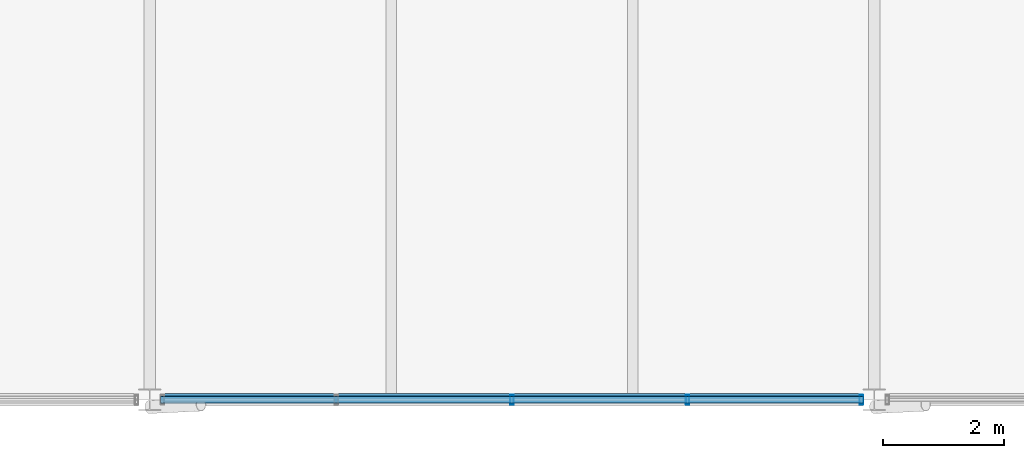
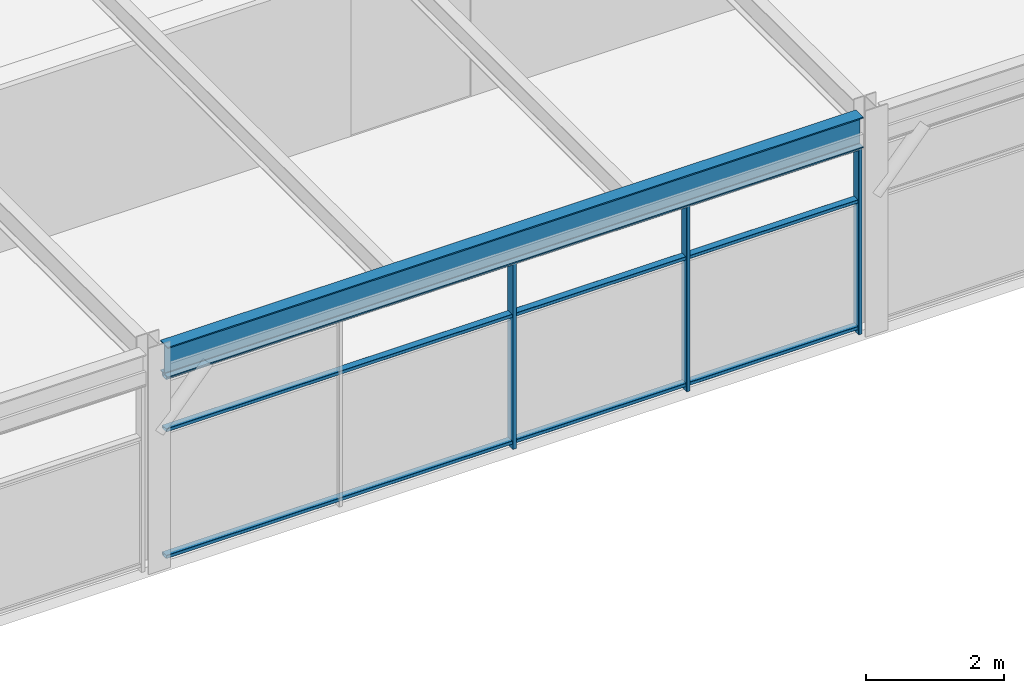
# One storey, part 14 of 40: 6 members, 1 beam, 1 element without a shape of its own.
"""IFC4 building model written with IfcOpenShell, lengths in metres."""

from ifc_helpers import new_model, si_unit, direction, frame, origin, origin_2d, place, context, subcontext, project, spatial, hollow_rectangle, i_section, extrude, material, material_profile, profile_set, type_object, element, aggregate, save


model = new_model("IFC4")

# Units and contexts
model_context = context("Model", 3, precision=1e-05, world=origin(), true_north=direction((0.0, 1.0)))
body_context = subcontext(model_context, "Body", "Model", "MODEL_VIEW")
ifc_project = project(units=[si_unit("LENGTHUNIT", "METRE"), si_unit("AREAUNIT", "SQUARE_METRE"), si_unit("VOLUMEUNIT", "CUBIC_METRE"), si_unit("PLANEANGLEUNIT", "RADIAN"), si_unit("MASSUNIT", "GRAM", prefix="KILO")], contexts=[model_context])

# Site, building, storey
site_placement = place(None, origin())
site = spatial("IfcSite", under=ifc_project, at=site_placement, CompositionType="ELEMENT")
building_placement = place(site_placement, origin())
building = spatial("IfcBuilding", under=site, at=building_placement, Name="Girod Span Mobility Hub", CompositionType="ELEMENT")
storey_placement = place(building_placement, frame((0.0, 0.0, 57.60009765625)))
storey = spatial("IfcBuildingStorey", under=building, at=storey_placement, Name="L14", CompositionType="ELEMENT", Elevation=57.60009765625)

# Beam
ifc_material_1 = material(Name="Steel A992 Grade 50", Category="steel")
ifc_material_profile_1 = material_profile(ifc_material_1, i_section(OverallWidth=0.2119140625, OverallDepth=0.5439453125, WebThickness=0.01318359375, FlangeThickness=0.021240234375, FilletRadius=0.014892578125, at=origin_2d()), Name="W21X83")
ifc_profile_set_1 = profile_set([ifc_material_profile_1], Name="Steel A992 Grade 50")
beam_type = type_object("IfcBeamType", Name="BM-STL-W21X83", PredefinedType="SPANDREL", material=ifc_profile_set_1)
beam_placement = place(storey_placement, frame((72.181396484375, 45.0, 3.577880859375), z_axis=(1.0, 0.0, 0.0), x_axis=(0.0, 1.0, 0.0)))
element("IfcBeam", 1, at=beam_placement, inside=storey, type_object=beam_type, Name="Girder 7-8/D L14", PredefinedType="SPANDREL", context=body_context, shape_type="SweptSolid", body=[
    extrude(i_section(OverallWidth=0.2119140625, OverallDepth=0.5439453125, WebThickness=0.01318359375, FlangeThickness=0.021240234375, FilletRadius=0.014892578125, at=origin_2d()), origin(), (0.0, 0.0, 1.0), 11.63720703125),
])

# Curtain wall, members
ifc_material_2 = material(Name="Thermally Broken Anodised Aluminium", Category="aluminium")
curtain_wall_type = type_object("IfcCurtainWallType", Name="CW-1164X331", PredefinedType="USERDEFINED", material=ifc_material_2)
curtain_wall_placement = place(storey_placement, origin())
curtain_wall = element("IfcCurtainWall", 2, at=curtain_wall_placement, inside=storey, type_object=curtain_wall_type, Name="Unitised Curtain Wall CW-L14-S07 L14", ObjectType="UNITISED CURTAIN WALL", PredefinedType="USERDEFINED")
ifc_material_3 = material(Name="Thermally Broken Anodised Aluminium", Category="aluminium")
ifc_material_profile_2 = material_profile(ifc_material_3, hollow_rectangle(XDim=0.159912109375, YDim=0.06005859375, WallThickness=0.00341796875, InnerFilletRadius=0.00341796875, OuterFilletRadius=0.007080078125, at=origin_2d()), Name="CW-ML-60X160")
ifc_profile_set_2 = profile_set([ifc_material_profile_2], Name="Thermally Broken Anodised Aluminium")
member_type_1 = type_object("IfcMemberType", Name="CWM-ML-3", PredefinedType="MULLION", material=ifc_profile_set_2)
member_1_placement = place(storey_placement, frame((78.0, 45.0, 0.0), z_axis=(0.0, 0.0, 1.0), x_axis=(0.0, 1.0, 0.0)))
member_1 = element("IfcMember", 3, at=member_1_placement, type_object=member_type_1, Name="Curtain Wall Mullion CW-L14-S07-M2", PredefinedType="MULLION", context=body_context, shape_type="SweptSolid", body=[
    extrude(hollow_rectangle(XDim=0.159912109375, YDim=0.06005859375, WallThickness=0.00341796875, InnerFilletRadius=0.00341796875, OuterFilletRadius=0.007080078125, at=origin_2d()), origin(), (0.0, 0.0, 1.0), 3.305908203125),
])
member_2_placement = place(storey_placement, frame((80.90869140625, 45.0, 0.0), z_axis=(0.0, 0.0, 1.0), x_axis=(0.0, 1.0, 0.0)))
member_2 = element("IfcMember", 4, at=member_2_placement, type_object=member_type_1, Name="Curtain Wall Mullion CW-L14-S07-M3", PredefinedType="MULLION", context=body_context, shape_type="SweptSolid", body=[
    extrude(hollow_rectangle(XDim=0.159912109375, YDim=0.06005859375, WallThickness=0.00341796875, InnerFilletRadius=0.00341796875, OuterFilletRadius=0.007080078125, at=origin_2d()), origin(), (0.0, 0.0, 1.0), 3.305908203125),
])
member_3_placement = place(storey_placement, frame((83.785400390625, 45.0, 0.0), z_axis=(0.0, 0.0, 1.0), x_axis=(0.0, 1.0, 0.0)))
member_3 = element("IfcMember", 5, at=member_3_placement, type_object=member_type_1, Name="Curtain Wall Mullion CW-L14-S07-M4", PredefinedType="MULLION", context=body_context, shape_type="SweptSolid", body=[
    extrude(hollow_rectangle(XDim=0.159912109375, YDim=0.06005859375, WallThickness=0.00341796875, InnerFilletRadius=0.00341796875, OuterFilletRadius=0.007080078125, at=origin_2d()), origin(), (0.0, 0.0, 1.0), 3.305908203125),
])
ifc_material_4 = material(Name="Thermally Broken Anodised Aluminium", Category="aluminium")
ifc_material_profile_3 = material_profile(ifc_material_4, hollow_rectangle(XDim=0.1201171875, YDim=0.06005859375, WallThickness=0.00341796875, InnerFilletRadius=0.00341796875, OuterFilletRadius=0.007080078125, at=origin_2d()), Name="CW-TR-60X120")
ifc_profile_set_3 = profile_set([ifc_material_profile_3], Name="Thermally Broken Anodised Aluminium")
member_type_2 = type_object("IfcMemberType", Name="CWM-TR-3", PredefinedType="USERDEFINED", material=ifc_profile_set_3)
member_4_placement = place(storey_placement, frame((72.1826171875, 45.0, 0.10986328125), z_axis=(1.0, 0.0, 0.0), x_axis=(0.0, 1.0, 0.0)))
member_4 = element("IfcMember", 6, at=member_4_placement, type_object=member_type_2, Name="Curtain Wall Transom CW-L14-S07-T1", ObjectType="TRANSOM", PredefinedType="USERDEFINED", context=body_context, shape_type="SweptSolid", body=[
    extrude(hollow_rectangle(XDim=0.1201171875, YDim=0.06005859375, WallThickness=0.00341796875, InnerFilletRadius=0.00341796875, OuterFilletRadius=0.007080078125, at=origin_2d()), origin(), (0.0, 0.0, 1.0), 11.634765625),
])
member_5_placement = place(storey_placement, frame((72.1826171875, 45.0, 2.35009765625), z_axis=(1.0, 0.0, 0.0), x_axis=(0.0, 1.0, 0.0)))
member_5 = element("IfcMember", 7, at=member_5_placement, type_object=member_type_2, Name="Curtain Wall Transom CW-L14-S07-T2", ObjectType="TRANSOM", PredefinedType="USERDEFINED", context=body_context, shape_type="SweptSolid", body=[
    extrude(hollow_rectangle(XDim=0.1201171875, YDim=0.06005859375, WallThickness=0.00341796875, InnerFilletRadius=0.00341796875, OuterFilletRadius=0.007080078125, at=origin_2d()), origin(), (0.0, 0.0, 1.0), 11.634765625),
])
member_6_placement = place(storey_placement, frame((72.1826171875, 45.0, 3.27587890625), z_axis=(1.0, 0.0, 0.0), x_axis=(0.0, 1.0, 0.0)))
member_6 = element("IfcMember", 8, at=member_6_placement, type_object=member_type_2, Name="Curtain Wall Transom CW-L14-S07-T3", ObjectType="TRANSOM", PredefinedType="USERDEFINED", context=body_context, shape_type="SweptSolid", body=[
    extrude(hollow_rectangle(XDim=0.1201171875, YDim=0.06005859375, WallThickness=0.00341796875, InnerFilletRadius=0.00341796875, OuterFilletRadius=0.007080078125, at=origin_2d()), origin(), (0.0, 0.0, 1.0), 11.634765625),
])
aggregate(curtain_wall, [member_1, member_2, member_3, member_4, member_5, member_6])

save(model, "model.ifc")
